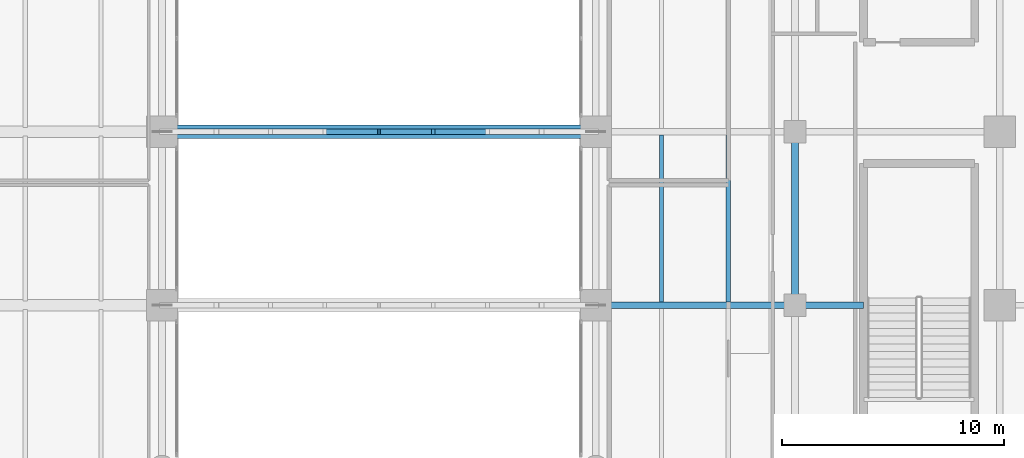
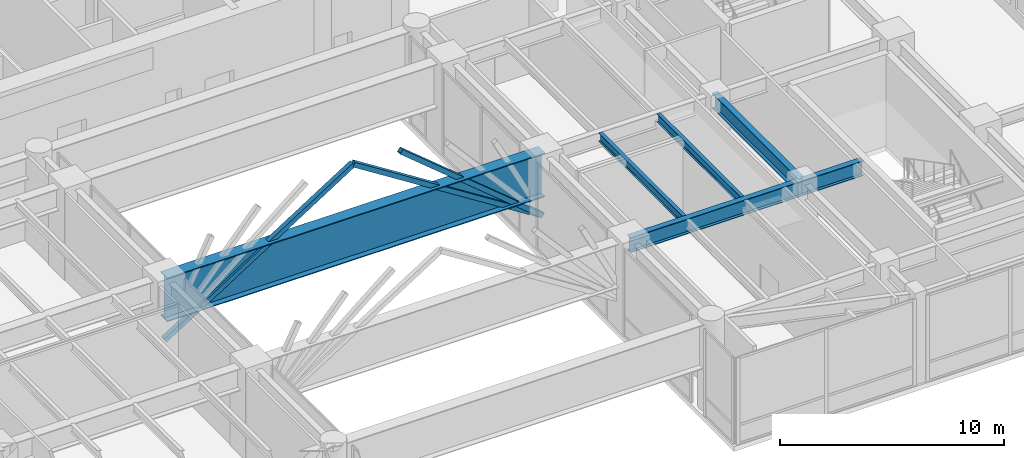
# One storey, part 19 of 39: 6 beams, 3 members.
"""IFC4 building model written with IfcOpenShell, lengths in metres."""

from ifc_helpers import new_model, si_unit, direction, frame, origin, origin_2d, place, context, subcontext, project, spatial, hollow_rectangle, i_section, extrude, source, transform, mapped, material, material_profile, profile_set, type_object, type_shapes, element, save


model = new_model("IFC4")

# Units and contexts
model_context = context("Model", 3, precision=1e-05, world=origin(), true_north=direction((0.0, 1.0)))
body_context = subcontext(model_context, "Body", "Model", "MODEL_VIEW")
ifc_project = project(units=[si_unit("LENGTHUNIT", "METRE"), si_unit("AREAUNIT", "SQUARE_METRE"), si_unit("VOLUMEUNIT", "CUBIC_METRE"), si_unit("PLANEANGLEUNIT", "RADIAN"), si_unit("MASSUNIT", "GRAM", prefix="KILO")], contexts=[model_context])

# Site, building, storey
site_placement = place(None, origin())
site = spatial("IfcSite", under=ifc_project, at=site_placement, CompositionType="ELEMENT")
building_placement = place(site_placement, origin())
building = spatial("IfcBuilding", under=site, at=building_placement, Name="Tolvann Quenvar Hotel", CompositionType="ELEMENT")
storey_placement = place(building_placement, frame((0.0, 0.0, 11.0)))
storey = spatial("IfcBuildingStorey", under=building, at=storey_placement, Name="L02", CompositionType="ELEMENT", Elevation=11.0)

# Beams
ifc_material_1 = material(Name="Steel Grade 350", Category="steel")
ifc_material_profile_1 = material_profile(ifc_material_1, i_section(OverallWidth=0.300048828125, OverallDepth=0.81591796875, WebThickness=0.010009765625, FlangeThickness=0.028076171875, at=origin_2d()), Name="800WB192")
ifc_profile_set_1 = profile_set([ifc_material_profile_1], Name="Steel Grade 350")
beam_type_1 = type_object("IfcBeamType", Name="BM_GIRD_800WB192", PredefinedType="BEAM", material=ifc_profile_set_1)
shared_shape_1 = source(origin(), body_context, "Body", "SweptSolid", [
    extrude(i_section(OverallWidth=0.300048828125, OverallDepth=0.81591796875, WebThickness=0.010009765625, FlangeThickness=0.028076171875, at=origin_2d()), origin(), (0.0, 0.0, 1.0), 7.800048828125),
])
beam_1_placement = place(storey_placement, frame((47.199951171875, 8.199951171875, 4.33203125), z_axis=(0.0, 1.0, 0.0), x_axis=(-1.0, 0.0, 0.0)))
element("IfcBeam", 1, at=beam_1_placement, inside=storey, type_object=beam_type_1, Name="BM-L02-NS-H-1", PredefinedType="BEAM", context=body_context, shape_type="MappedRepresentation", body=[
    mapped(shared_shape_1, transform((0.0, 0.0, 0.0), x_axis=(1.0, 0.0, 0.0), y_axis=(0.0, 1.0, 0.0), z_axis=(0.0, 0.0, 1.0), scale=1.0)),
])
shared_shape_2 = source(origin(), body_context, "Body", "SweptSolid", [
    extrude(i_section(OverallWidth=0.300048828125, OverallDepth=0.81591796875, WebThickness=0.010009765625, FlangeThickness=0.028076171875, at=origin_2d()), origin(), (0.0, 0.0, 1.0), 8.949951171875),
])
beam_2_placement = place(storey_placement, frame((38.25, 8.199951171875, 4.33203125), z_axis=(1.0, 0.0, 0.0), x_axis=(0.0, 1.0, 0.0)))
element("IfcBeam", 2, at=beam_2_placement, inside=storey, type_object=beam_type_1, Name="BM-L02-GE1-2", PredefinedType="BEAM", context=body_context, shape_type="MappedRepresentation", body=[
    mapped(shared_shape_2, transform((0.0, 0.0, 0.0), x_axis=(1.0, 0.0, 0.0), y_axis=(0.0, 1.0, 0.0), z_axis=(0.0, 0.0, 1.0), scale=1.0)),
])
ifc_material_profile_2 = material_profile(ifc_material_1, i_section(OverallWidth=0.18994140625, OverallDepth=0.4541015625, WebThickness=0.008544921875, FlangeThickness=0.0126953125, FilletRadius=0.011474609375, at=origin_2d()), Name="460UB67")
ifc_profile_set_2 = profile_set([ifc_material_profile_2], Name="Steel Grade 350")
beam_type_2 = type_object("IfcBeamType", Name="BM_JOIST_460UB67", PredefinedType="JOIST", material=ifc_profile_set_2)
shared_shape_3 = source(origin(), body_context, "Body", "SweptSolid", [
    extrude(i_section(OverallWidth=0.18994140625, OverallDepth=0.4541015625, WebThickness=0.008544921875, FlangeThickness=0.0126953125, FilletRadius=0.011474609375, at=origin_2d()), origin(), (0.0, 0.0, 1.0), 7.511962890625),
])
type_shapes(beam_type_2, [shared_shape_3])
for number, where, z_axis, x_axis, name in (
    (3, (41.199951171875, 8.343994140625, 4.512939453125), (0.0, 1.0, 0.0), (-1.0, 0.0, 0.0), "BJ-L02-412-82"),
    (4, (44.199951171875, 8.343994140625, 4.512939453125), (0.0, 1.0, 0.0), (-1.0, 0.0, 0.0), "BJ-L02-442-82"),
):
    element("IfcBeam", number, at=place(storey_placement, frame(where, z_axis=z_axis, x_axis=x_axis)), inside=storey, type_object=beam_type_2, Name=name, PredefinedType="JOIST", context=body_context, shape_type="MappedRepresentation", body=[
        mapped(shared_shape_3, transform((0.0, 0.0, 0.0), x_axis=(1.0, 0.0, 0.0), y_axis=(0.0, 1.0, 0.0), z_axis=(0.0, 0.0, 1.0), scale=1.0)),
    ])
shared_shape_4 = source(origin(), body_context, "Body", "SweptSolid", [
    extrude(i_section(OverallWidth=0.300048828125, OverallDepth=0.81591796875, WebThickness=0.010009765625, FlangeThickness=0.028076171875, at=origin_2d()), origin(), (0.0, 0.0, 1.0), 3.074951171875),
])
type_shapes(beam_type_1, [shared_shape_1, shared_shape_2, shared_shape_4])
beam_3_placement = place(storey_placement, frame((47.199951171875, 8.199951171875, 4.33203125), z_axis=(1.0, 0.0, 0.0), x_axis=(0.0, 1.0, 0.0)))
element("IfcBeam", 5, at=beam_3_placement, inside=storey, type_object=beam_type_1, Name="BM-L02-GE2-2", PredefinedType="BEAM", context=body_context, shape_type="MappedRepresentation", body=[
    mapped(shared_shape_4, transform((0.0, 0.0, 0.0), x_axis=(1.0, 0.0, 0.0), y_axis=(0.0, 1.0, 0.0), z_axis=(0.0, 0.0, 1.0), scale=1.0)),
])
ifc_material_profile_3 = material_profile(ifc_material_1, i_section(OverallWidth=0.60009765625, OverallDepth=2.39990234375, WebThickness=0.02001953125, FlangeThickness=0.044921875, at=origin_2d()), Name="2400WB655")
ifc_profile_set_3 = profile_set([ifc_material_profile_3], Name="Steel Grade 350")
beam_type_3 = type_object("IfcBeamType", Name="BM_TG_2400WB655", PredefinedType="USERDEFINED", material=ifc_profile_set_3)
shared_shape_5 = source(origin(), body_context, "Body", "SweptSolid", [
    extrude(i_section(OverallWidth=0.60009765625, OverallDepth=2.39990234375, WebThickness=0.02001953125, FlangeThickness=0.044921875, at=origin_2d()), origin(), (0.0, 0.0, 1.0), 19.5),
])
type_shapes(beam_type_3, [shared_shape_5])
beam_4_placement = place(storey_placement, frame((18.75, 16.0, 3.5400390625), z_axis=(1.0, 0.0, 0.0), x_axis=(0.0, 1.0, 0.0)))
element("IfcBeam", 6, at=beam_4_placement, inside=storey, type_object=beam_type_3, Name="BM-L02-ATIE-3", ObjectType="TRANSFER GIRDER", PredefinedType="USERDEFINED", context=body_context, shape_type="MappedRepresentation", body=[
    mapped(shared_shape_5, transform((0.0, 0.0, 0.0), x_axis=(1.0, 0.0, 0.0), y_axis=(0.0, 1.0, 0.0), z_axis=(0.0, 0.0, 1.0), scale=1.0)),
])

# Members
ifc_material_2 = material(Name="Steel Grade 450 (C450L0)", Category="steel")
ifc_material_profile_4 = material_profile(ifc_material_2, hollow_rectangle(XDim=0.25, YDim=0.25, WallThickness=0.010009765625, at=origin_2d()), Name="250x250x10SHS")
ifc_profile_set_4 = profile_set([ifc_material_profile_4], Name="Steel Grade 450 (C450L0)")
member_type = type_object("IfcMemberType", Name="MEM_POST_250SHS", PredefinedType="POST", material=ifc_profile_set_4)
shared_shape_6 = source(origin(), body_context, "Body", "SweptSolid", [
    extrude(hollow_rectangle(XDim=0.25, YDim=0.25, WallThickness=0.010009765625, at=origin_2d()), origin(), (0.0, 0.0, 1.0), 9.49072265625),
])
member_placement = place(storey_placement, frame((38.25, 16.0, 1.199951171875), z_axis=(-0.770481016294, 0.0, 0.637462942868), x_axis=(0.0, -1.0, 0.0)))
element("IfcMember", 7, at=member_placement, inside=storey, type_object=member_type, Name="Arch Radial Support Strut F3-K5", PredefinedType="POST", context=body_context, shape_type="MappedRepresentation", body=[
    mapped(shared_shape_6, transform((0.0, 0.0, 0.0), x_axis=(1.0, 0.0, 0.0), y_axis=(0.0, 1.0, 0.0), z_axis=(0.0, 0.0, 1.0), scale=1.0)),
])
shared_shape_7 = source(origin(), body_context, "Body", "SweptSolid", [
    extrude(hollow_rectangle(XDim=0.25, YDim=0.25, WallThickness=0.010009765625, at=origin_2d()), origin(), (0.0, 0.0, 1.0), 11.55419921875),
])
type_shapes(member_type, [shared_shape_6, shared_shape_7])
for number, where, z_axis, x_axis, name in (
    (8, (18.75, 16.0, 1.199951171875), (0.843841541128, 0.0, 0.536592446338), (0.0, 1.0, 0.0), "Arch Crown CW Strut F3"),
    (9, (38.25, 16.0, 1.199951171875), (-0.843841541128, 0.0, 0.536592446338), (0.0, -1.0, 0.0), "Arch Crown CE Strut F3"),
):
    element("IfcMember", number, at=place(storey_placement, frame(where, z_axis=z_axis, x_axis=x_axis)), inside=storey, type_object=member_type, Name=name, PredefinedType="POST", context=body_context, shape_type="MappedRepresentation", body=[
        mapped(shared_shape_7, transform((0.0, 0.0, 0.0), x_axis=(1.0, 0.0, 0.0), y_axis=(0.0, 1.0, 0.0), z_axis=(0.0, 0.0, 1.0), scale=1.0)),
    ])

save(model, "model.ifc")
